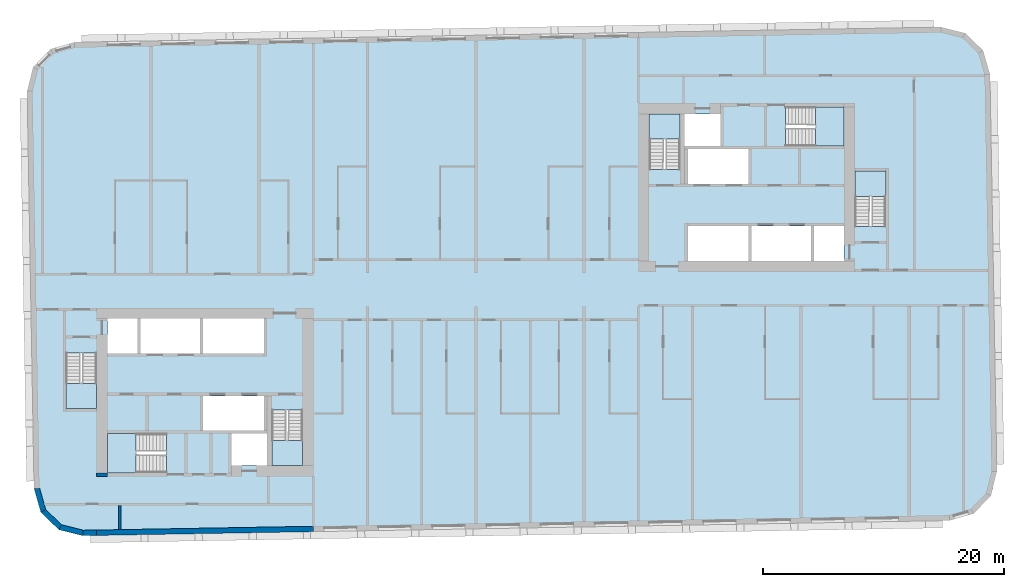
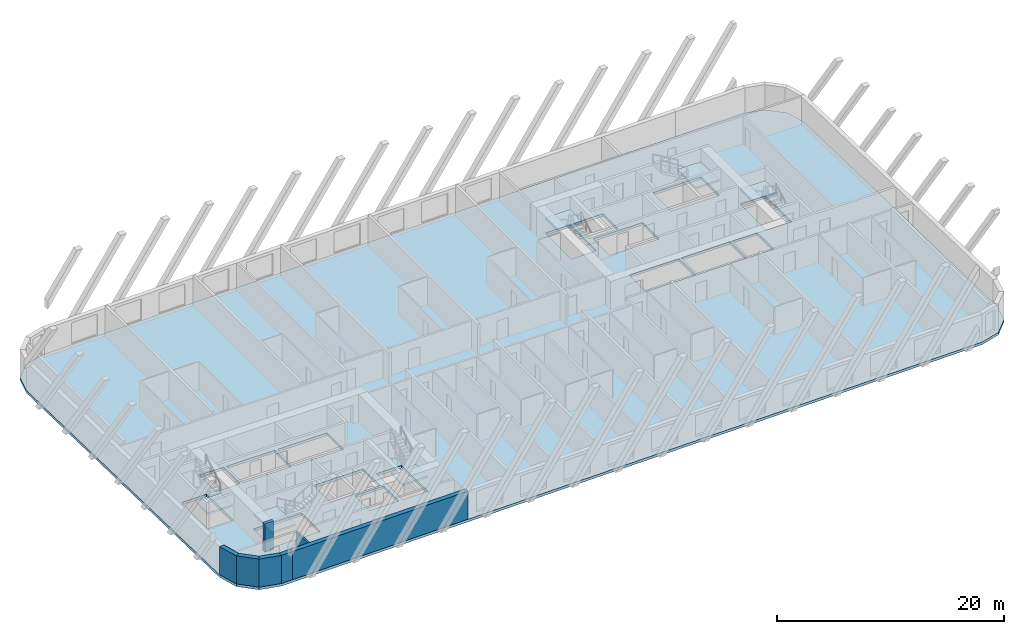
# One storey, part 1 of 12: 7 slabs, 7 walls, 6 elements without a shape of their own.
"""IFC4 building model written with IfcOpenShell, lengths in metres."""

from ifc_helpers import new_model, si_unit, direction, frame, frame_2d, origin, place, context, subcontext, project, spatial, polyline, rectangle, outline, extrude, material, layer, layer_set, type_object, element, aggregate, save


model = new_model("IFC4")

# Units and contexts
model_context = context("Model", 3, precision=1e-05, world=origin(), true_north=direction((0.0, 1.0)))
body_context = subcontext(model_context, "Body", "Model", "MODEL_VIEW")
ifc_project = project(units=[si_unit("LENGTHUNIT", "METRE"), si_unit("AREAUNIT", "SQUARE_METRE"), si_unit("VOLUMEUNIT", "CUBIC_METRE"), si_unit("PLANEANGLEUNIT", "RADIAN"), si_unit("MASSUNIT", "GRAM", prefix="KILO")], contexts=[model_context])

# Site, building, storey
site_placement = place(None, origin())
site = spatial("IfcSite", under=ifc_project, at=site_placement, CompositionType="ELEMENT")
building_placement = place(site_placement, origin())
building = spatial("IfcBuilding", under=site, at=building_placement, Name="Kajstack Hotel Tower", CompositionType="ELEMENT")
storey_placement = place(building_placement, frame((0.0, 0.0, 247.39990234375)))
storey = spatial("IfcBuildingStorey", under=building, at=storey_placement, Name="L61", CompositionType="ELEMENT", Elevation=247.39990234375)

# Slab
ifc_material_1 = material(Name="Concrete C40/50", Category="concrete")
ifc_layer_1 = layer(ifc_material_1, 0.280029296875)
ifc_layer_set_1 = layer_set([ifc_layer_1], Name="RC slab 280 C40/50 guest")
slab_type_1 = type_object("IfcSlabType", Name="RC slab 280 C40/50 guest", PredefinedType="FLOOR", material=ifc_layer_set_1)
slab_1_placement = place(storey_placement, frame((0.0, 0.0, -0.27978515625)))
element("IfcSlab", 1, at=slab_1_placement, inside=storey, type_object=slab_type_1, Name="S-slab-L61", PredefinedType="FLOOR", context=body_context, shape_type="SweptSolid", body=[
    extrude(outline(polyline([(-37.281982421875, 16.49951171875), (-36.705810546875, -16.49560546875), (-36.13525390625, -18.48583984375), (-34.645751953125, -19.92431640625), (-32.63671875, -20.42529296875), (39.352294921875, -19.168701171875), (41.342529296875, -18.597900390625), (42.781005859375, -17.1083984375), (43.281982421875, -15.099365234375), (42.705810546875, 17.8955078125), (42.13525390625, 19.885986328125), (40.645751953125, 21.32421875), (38.63671875, 21.8251953125), (-33.352294921875, 20.568603515625), (-35.342529296875, 19.997802734375), (-36.781005859375, 18.50830078125), (-37.281982421875, 16.49951171875)]), holes=[polyline([(-22.64990234375, -11.699951171875), (-22.64990234375, -8.800048828125), (-17.60009765625, -8.800048828125), (-17.60009765625, -11.699951171875), (-22.64990234375, -11.699951171875)]), polyline([(-27.85009765625, -5.300048828125), (-27.85009765625, -2.39990234375), (-22.89990234375, -2.39990234375), (-22.89990234375, -5.300048828125), (-27.85009765625, -5.300048828125)]), polyline([(-22.64990234375, -5.300048828125), (-22.64990234375, -2.39990234375), (-17.60009765625, -2.39990234375), (-17.60009765625, -5.300048828125), (-22.64990234375, -5.300048828125)]), polyline([(-20.300048828125, -14.60009765625), (-17.35009765625, -14.60009765625), (-17.35009765625, -11.949951171875), (-20.300048828125, -11.949951171875), (-20.300048828125, -14.60009765625)]), polyline([(-30.60009765625, -5.300048828125), (-28.10009765625, -5.300048828125), (-28.10009765625, -2.39990234375), (-30.60009765625, -2.39990234375), (-30.60009765625, -5.300048828125)]), polyline([(17.60009765625, 8.800048828125), (17.60009765625, 11.699951171875), (22.64990234375, 11.699951171875), (22.64990234375, 8.800048828125), (17.60009765625, 8.800048828125)]), polyline([(22.89990234375, 2.39990234375), (22.89990234375, 5.300048828125), (27.85009765625, 5.300048828125), (27.85009765625, 2.39990234375), (22.89990234375, 2.39990234375)]), polyline([(17.60009765625, 2.39990234375), (17.60009765625, 5.300048828125), (22.64990234375, 5.300048828125), (22.64990234375, 2.39990234375), (17.60009765625, 2.39990234375)]), polyline([(20.300048828125, 14.60009765625), (17.35009765625, 14.60009765625), (17.35009765625, 11.949951171875), (20.300048828125, 11.949951171875), (20.300048828125, 14.60009765625)]), polyline([(30.60009765625, 5.300048828125), (28.10009765625, 5.300048828125), (28.10009765625, 2.39990234375), (30.60009765625, 2.39990234375), (30.60009765625, 5.300048828125)]), polyline([(-34.050048828125, -9.85009765625), (-31.5, -9.85009765625), (-31.5, -5.25), (-34.050048828125, -5.25), (-34.050048828125, -9.85009765625)]), polyline([(-16.949951171875, -14.60009765625), (-14.39990234375, -14.60009765625), (-14.39990234375, -10.0), (-16.949951171875, -10.0), (-16.949951171875, -14.60009765625)]), polyline([(-30.60009765625, -15.199951171875), (-25.699951171875, -15.199951171875), (-25.699951171875, -11.949951171875), (-30.60009765625, -11.949951171875), (-30.60009765625, -15.199951171875)]), polyline([(34.050048828125, 9.85009765625), (31.5, 9.85009765625), (31.5, 5.25), (34.050048828125, 5.25), (34.050048828125, 9.85009765625)]), polyline([(16.949951171875, 14.60009765625), (14.39990234375, 14.60009765625), (14.39990234375, 10.0), (16.949951171875, 10.0), (16.949951171875, 14.60009765625)]), polyline([(30.60009765625, 15.199951171875), (25.699951171875, 15.199951171875), (25.699951171875, 11.949951171875), (30.60009765625, 11.949951171875), (30.60009765625, 15.199951171875)])]), origin(), (0.0, 0.0, 1.0), 0.27978515625),
])

# Stair, slab
stair_type_1 = type_object("IfcStairType", Name="Exit stair 1200", PredefinedType="HALF_TURN_STAIR", material=ifc_material_1)
stair_1_placement = place(storey_placement, origin())
stair_1 = element("IfcStair", 2, at=stair_1_placement, inside=storey, type_object=stair_type_1, Name="L61 stair W1", PredefinedType="HALF_TURN_STAIR")
ifc_layer_2 = layer(ifc_material_1, 0.199951171875)
ifc_layer_set_2 = layer_set([ifc_layer_2], Name="Stair landing 200")
slab_type_2 = type_object("IfcSlabType", Name="Stair landing 200", PredefinedType="LANDING", material=ifc_layer_set_2)
slab_2_placement = place(storey_placement, frame((0.0, 0.0, 1.4501953125)))
slab_2 = element("IfcSlab", 3, at=slab_2_placement, type_object=slab_type_2, Name="W1 landing 1", PredefinedType="LANDING", context=body_context, shape_type="SweptSolid", body=[
    extrude(outline(polyline([(-34.050048828125, -7.77001953125), (-34.050048828125, -9.85009765625), (-31.5, -9.85009765625), (-31.5, -7.77001953125), (-34.050048828125, -7.77001953125)])), origin(), (0.0, 0.0, 1.0), 0.199951171875),
])
aggregate(stair_1, [slab_2])

stair_2_placement = place(storey_placement, origin())
stair_2 = element("IfcStair", 4, at=stair_2_placement, inside=storey, type_object=stair_type_1, Name="L61 stair W2", PredefinedType="HALF_TURN_STAIR")
slab_3_placement = place(storey_placement, frame((0.0, 0.0, 1.4501953125)))
slab_3 = element("IfcSlab", 5, at=slab_3_placement, type_object=slab_type_2, Name="W2 landing 1", PredefinedType="LANDING", context=body_context, shape_type="SweptSolid", body=[
    extrude(outline(polyline([(-16.949951171875, -12.52001953125), (-16.949951171875, -14.60009765625), (-14.39990234375, -14.60009765625), (-14.39990234375, -12.52001953125), (-16.949951171875, -12.52001953125)])), origin(), (0.0, 0.0, 1.0), 0.199951171875),
])
aggregate(stair_2, [slab_3])

stair_type_2 = type_object("IfcStairType", Name="Exit stair 1500", PredefinedType="HALF_TURN_STAIR", material=ifc_material_1)
stair_3_placement = place(storey_placement, origin())
stair_3 = element("IfcStair", 6, at=stair_3_placement, inside=storey, type_object=stair_type_2, Name="L61 stair W3", PredefinedType="HALF_TURN_STAIR")
slab_4_placement = place(storey_placement, frame((0.0, 0.0, 1.4501953125)))
slab_4 = element("IfcSlab", 7, at=slab_4_placement, type_object=slab_type_2, Name="W3 landing 1", PredefinedType="LANDING", context=body_context, shape_type="SweptSolid", body=[
    extrude(outline(polyline([(-28.219970703125, -11.949951171875), (-30.60009765625, -11.949951171875), (-30.60009765625, -15.199951171875), (-28.219970703125, -15.199951171875), (-28.219970703125, -11.949951171875)])), origin(), (0.0, 0.0, 1.0), 0.199951171875),
])
aggregate(stair_3, [slab_4])

stair_4_placement = place(storey_placement, origin())
stair_4 = element("IfcStair", 8, at=stair_4_placement, inside=storey, type_object=stair_type_1, Name="L61 stair E1", PredefinedType="HALF_TURN_STAIR")
slab_5_placement = place(storey_placement, frame((0.0, 0.0, 1.4501953125)))
slab_5 = element("IfcSlab", 9, at=slab_5_placement, type_object=slab_type_2, Name="E1 landing 1", PredefinedType="LANDING", context=body_context, shape_type="SweptSolid", body=[
    extrude(outline(polyline([(34.050048828125, 7.77001953125), (34.050048828125, 9.85009765625), (31.5, 9.85009765625), (31.5, 7.77001953125), (34.050048828125, 7.77001953125)])), origin(), (0.0, 0.0, 1.0), 0.199951171875),
])
aggregate(stair_4, [slab_5])

stair_5_placement = place(storey_placement, origin())
stair_5 = element("IfcStair", 10, at=stair_5_placement, inside=storey, type_object=stair_type_1, Name="L61 stair E2", PredefinedType="HALF_TURN_STAIR")
slab_6_placement = place(storey_placement, frame((0.0, 0.0, 1.4501953125)))
slab_6 = element("IfcSlab", 11, at=slab_6_placement, type_object=slab_type_2, Name="E2 landing 1", PredefinedType="LANDING", context=body_context, shape_type="SweptSolid", body=[
    extrude(outline(polyline([(16.949951171875, 12.52001953125), (16.949951171875, 14.60009765625), (14.39990234375, 14.60009765625), (14.39990234375, 12.52001953125), (16.949951171875, 12.52001953125)])), origin(), (0.0, 0.0, 1.0), 0.199951171875),
])
aggregate(stair_5, [slab_6])

stair_6_placement = place(storey_placement, origin())
stair_6 = element("IfcStair", 12, at=stair_6_placement, inside=storey, type_object=stair_type_2, Name="L61 stair E3", PredefinedType="HALF_TURN_STAIR")
slab_7_placement = place(storey_placement, frame((0.0, 0.0, 1.4501953125)))
slab_7 = element("IfcSlab", 13, at=slab_7_placement, type_object=slab_type_2, Name="E3 landing 1", PredefinedType="LANDING", context=body_context, shape_type="SweptSolid", body=[
    extrude(outline(polyline([(28.219970703125, 11.949951171875), (30.60009765625, 11.949951171875), (30.60009765625, 15.199951171875), (28.219970703125, 15.199951171875), (28.219970703125, 11.949951171875)])), origin(), (0.0, 0.0, 1.0), 0.199951171875),
])
aggregate(stair_6, [slab_7])

# Walls
ifc_material_2 = material(Name="Concrete C60/75", Category="concrete")
ifc_layer_3 = layer(ifc_material_2, 0.89990234375)
ifc_layer_set_3 = layer_set([ifc_layer_3], Name="Core wall 900")
wall_type_1 = type_object("IfcWallType", Name="Core wall 900", PredefinedType="SHEAR", material=ifc_layer_set_3)
wall_1_placement = place(storey_placement, frame((-31.5, -15.35009765625, 0.0), z_axis=(0.0, 0.0, 1.0), x_axis=(1.0, 0.0, 0.0)))
element("IfcWall", 14, at=wall_1_placement, inside=storey, type_object=wall_type_1, Name="Core wall W RSW", PredefinedType="SHEAR", context=body_context, shape_type="SweptSolid", body=[
    extrude(rectangle(XDim=0.89990234375, YDim=0.300048828125, at=frame_2d((0.449951171875, 0.0))), origin(), (0.0, 0.0, 1.0), 3.02001953125),
])
ifc_layer_4 = layer(ifc_material_1, 0.449951171875)
ifc_layer_set_4 = layer_set([ifc_layer_4], Name="EW-CORE")
wall_type_2 = type_object("IfcWallType", Name="EW-CORE", PredefinedType="SOLIDWALL", material=ifc_layer_set_4)
wall_2_placement = place(storey_placement, frame((-31.50390625, -20.180419921875, 0.0), z_axis=(0.0, 0.0, 1.0), x_axis=(0.999847677887, 0.017453395744, 0.0)))
element("IfcWall", 15, at=wall_2_placement, inside=storey, type_object=wall_type_2, Name="E-wall-L61-04-01", PredefinedType="SOLIDWALL", context=body_context, shape_type="SweptSolid", body=[
    extrude(rectangle(XDim=18.002685546875, YDim=0.449951171875, at=frame_2d((9.00146484375, 0.0))), origin(), (0.0, 0.0, 1.0), 3.02001953125),
])
ifc_material_3 = material(Name="Terracotta-faced brick masonry", Category="masonry")
ifc_layer_5 = layer(ifc_material_3, 0.449951171875)
ifc_layer_set_5 = layer_set([ifc_layer_5], Name="EW-TERRA")
wall_type_3 = type_object("IfcWallType", Name="EW-TERRA", PredefinedType="SOLIDWALL", material=ifc_layer_set_5)
wall_3_placement = place(storey_placement, frame((-36.489501953125, -16.43359375, 0.0), z_axis=(0.0, 0.0, 1.0), x_axis=(0.275577603096, -0.961278827745, 0.0)))
element("IfcWall", 16, at=wall_3_placement, inside=storey, type_object=wall_type_3, Name="E-wall-L61-01-00", PredefinedType="SOLIDWALL", context=body_context, shape_type="SweptSolid", body=[
    extrude(outline(polyline([(0.0, -0.22509765625), (2.070556640625, -0.22509765625), (1.949951171875, 0.22509765625), (0.12060546875, 0.224853515625), (0.0, -0.22509765625)])), origin(), (0.0, 0.0, 1.0), 3.02001953125),
])
wall_4_placement = place(storey_placement, frame((-35.97900390625, -18.323974609375, 0.0), z_axis=(0.0, 0.0, 1.0), x_axis=(0.719320193998, -0.694678672846, 0.0)))
element("IfcWall", 17, at=wall_4_placement, inside=storey, type_object=wall_type_3, Name="E-wall-L61-02-00", PredefinedType="SOLIDWALL", context=body_context, shape_type="SweptSolid", body=[
    extrude(outline(polyline([(0.000244140625, -0.22509765625), (2.07080078125, -0.22509765625), (1.9501953125, 0.22509765625), (0.12060546875, 0.22509765625), (0.000244140625, -0.22509765625)])), origin(), (0.0, 0.0, 1.0), 3.02001953125),
])
wall_5_placement = place(storey_placement, frame((-34.59130859375, -19.7060546875, 0.0), z_axis=(0.0, 0.0, 1.0), x_axis=(0.970315655375, -0.241841950319, 0.0)))
element("IfcWall", 18, at=wall_5_placement, inside=storey, type_object=wall_type_3, Name="E-wall-L61-03-00", PredefinedType="SOLIDWALL", context=body_context, shape_type="SweptSolid", body=[
    extrude(outline(polyline([(0.0, -0.224853515625), (2.070556640625, -0.22509765625), (1.949951171875, 0.224853515625), (0.12060546875, 0.22509765625), (0.0, -0.224853515625)])), origin(), (0.0, 0.0, 1.0), 3.02001953125),
])
wall_6_placement = place(storey_placement, frame((-32.640625, -20.2001953125, 0.0), z_axis=(0.0, 0.0, 1.0), x_axis=(0.99984870815, 0.017394275206, 0.0)))
element("IfcWall", 19, at=wall_6_placement, inside=storey, type_object=wall_type_3, Name="E-wall-L61-04-00", PredefinedType="SOLIDWALL", context=body_context, shape_type="SweptSolid", body=[
    extrude(rectangle(XDim=1.136962890625, YDim=0.449951171875, at=frame_2d((0.568359375, 0.0))), origin(), (0.0, 0.0, 1.0), 3.02001953125),
])
ifc_material_4 = material(Name="Gypsum board on steel studs, mineral wool", Category="steel")
ifc_layer_6 = layer(ifc_material_4, 0.199951171875)
ifc_layer_set_6 = layer_set([ifc_layer_6], Name="Service partition 200")
wall_type_4 = type_object("IfcWallType", Name="Service partition 200", PredefinedType="PARTITIONING", material=ifc_layer_set_6)
wall_7_placement = place(storey_placement, frame((-29.60009765625, -19.92236328125, 0.0), z_axis=(0.0, 0.0, 1.0), x_axis=(0.0, 1.0, 0.0)))
element("IfcWall", 20, at=wall_7_placement, inside=storey, type_object=wall_type_4, Name="Partition W SLP0", PredefinedType="PARTITIONING", context=body_context, shape_type="SweptSolid", body=[
    extrude(rectangle(XDim=2.0224609375, YDim=0.199951171875, at=frame_2d((1.01123046875, 0.0))), origin(), (0.0, 0.0, 1.0), 3.02001953125),
])

save(model, "model.ifc")
